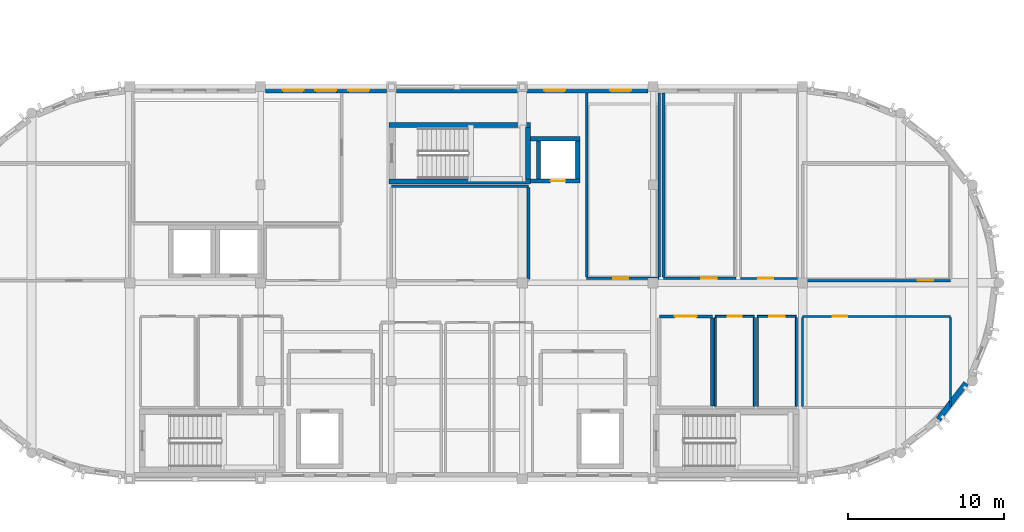
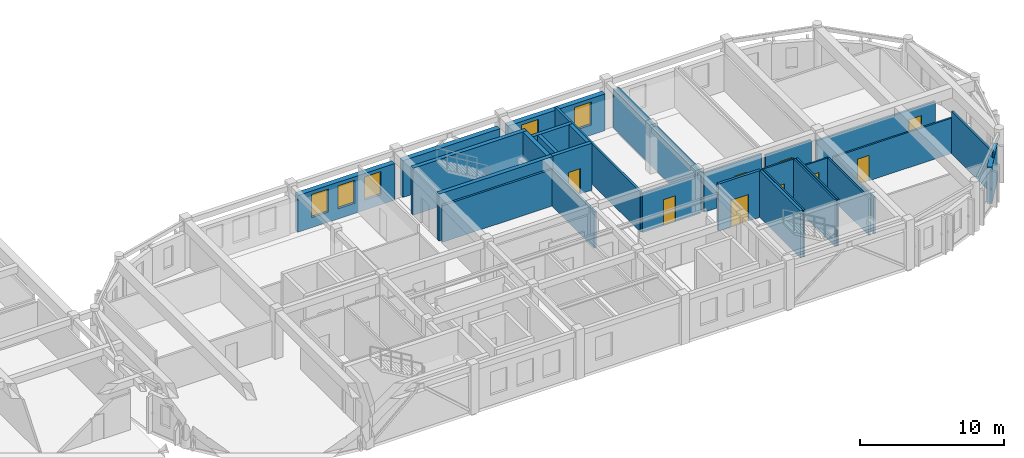
# One storey, part 19 of 29: 31 walls, 9 doors, 5 windows, 14 openings.
"""IFC4 building model written with IfcOpenShell, lengths in metres."""

from ifc_helpers import new_model, si_unit, direction, frame, frame_2d, origin, place, context, subcontext, project, spatial, rectangle, extrude, material, layer, layer_set, type_object, element, fill, save


model = new_model("IFC4")

# Units and contexts
model_context = context("Model", 3, precision=1e-05, world=origin(), true_north=direction((0.0, 1.0)))
body_context = subcontext(model_context, "Body", "Model", "MODEL_VIEW")
ifc_project = project(units=[si_unit("LENGTHUNIT", "METRE"), si_unit("AREAUNIT", "SQUARE_METRE"), si_unit("VOLUMEUNIT", "CUBIC_METRE"), si_unit("PLANEANGLEUNIT", "RADIAN"), si_unit("MASSUNIT", "GRAM", prefix="KILO")], contexts=[model_context])

# Site, building, storey
site_placement = place(None, origin())
site = spatial("IfcSite", under=ifc_project, at=site_placement, CompositionType="ELEMENT")
building_placement = place(site_placement, origin())
building = spatial("IfcBuilding", under=site, at=building_placement, Name="Tarnavel Promenade Courthouse", CompositionType="ELEMENT")
storey_placement = place(building_placement, frame((0.0, 0.0, 22.800048828125)))
storey = spatial("IfcBuildingStorey", under=building, at=storey_placement, Name="L06", CompositionType="ELEMENT", Elevation=22.800048828125)

# Walls
ifc_material_1 = material(Name="Acoustic Insulated Gypsum Stud Partition", Category="gypsum")
ifc_layer_1 = layer(ifc_material_1, 0.1650390625)
ifc_layer_set_1 = layer_set([ifc_layer_1], Name="Acoustic Insulated Gypsum Stud Partition")
wall_type_1 = type_object("IfcWallType", Name="Acoustic Insulated Gypsum Stud Partition WL-CHM-165 (165 mm)", PredefinedType="PARTITIONING", material=ifc_layer_set_1)
wall_1_placement = place(storey_placement, frame((75.60009765625, 98.0, 0.0), z_axis=(0.0, 0.0, 1.0), x_axis=(1.0, 0.0, 0.0)))
element("IfcWall", 1, at=wall_1_placement, inside=storey, type_object=wall_type_1, Name="L06 L06 Judicial Panel Deliberation Salon Partition 0808", PredefinedType="PARTITIONING", context=body_context, shape_type="SweptSolid", body=[
    extrude(rectangle(XDim=8.7998046875, YDim=0.1650390625, at=frame_2d((4.39990234375, 0.0))), origin(), (0.0, 0.0, 1.0), 3.099853515625),
])
wall_2_placement = place(storey_placement, frame((84.39990234375, 97.907470703125, 0.0), z_axis=(0.0, 0.0, 1.0), x_axis=(0.0, -1.0, 0.0)))
element("IfcWall", 2, at=wall_2_placement, inside=storey, type_object=wall_type_1, Name="L06 L06 Judicial Panel Deliberation Salon Partition 0811", PredefinedType="PARTITIONING", context=body_context, shape_type="SweptSolid", body=[
    extrude(rectangle(XDim=5.864990234375, YDim=0.1650390625, at=frame_2d((2.9326171875, 0.0))), origin(), (0.0, 0.0, 1.0), 3.099853515625),
])

# Wall, opening, door
wall_3_placement = place(storey_placement, frame((92.7890625, 92.090087890625, 0.0), z_axis=(0.0, 0.0, 1.0), x_axis=(-1.0, 0.0, 0.0)))
wall_3 = element("IfcWall", 3, at=wall_3_placement, inside=storey, type_object=wall_type_1, Name="L06 Judges' Chambers L06 Suite B Partition 0812", PredefinedType="PARTITIONING", context=body_context, shape_type="SweptSolid", body=[
    extrude(rectangle(XDim=4.649169921875, YDim=0.1650390625, at=frame_2d((2.32470703125, 0.0))), origin(), (0.0, 0.0, 1.0), 3.300048828125),
])
opening_1_placement = place(wall_3_placement, frame((1.98291015625, 0.0, 0.0)))
opening_1 = element("IfcOpeningElement", 4, at=opening_1_placement, cuts=wall_3, Name="Opening ID-04", PredefinedType="OPENING", context=body_context, shape_type="SweptSolid", body=[
    extrude(rectangle(XDim=0.97998046875, YDim=2.199951171875, at=frame_2d((0.489990234375, 1.10009765625))), frame((0.0, 0.092529296875, 0.0), z_axis=(0.0, -1.0, 0.0), x_axis=(1.0, 0.0, 0.0)), (0.0, 0.0, 1.0), 0.18505859375),
])
ifc_material_2 = material(Name="Solid Oak Judges Chambers Door")
door_type_1 = type_object("IfcDoorType", Name="Solid Oak Judges Chambers Door (DR-CHM-0980x2200)", OperationType="NOTDEFINED", PredefinedType="DOOR", material=ifc_material_2)
door_1_placement = place(opening_1_placement, origin())
door_1 = element("IfcDoor", 5, at=door_1_placement, inside=storey, type_object=door_type_1, Name="L06 Judges' Chambers L06 Suite B Door 0232", OperationType="SINGLE_SWING_LEFT", OverallHeight=2.199951171875, OverallWidth=0.97998046875, PredefinedType="DOOR", context=body_context, shape_type="SweptSolid", body=[
    extrude(rectangle(XDim=0.97998046875, YDim=2.199951171875, at=frame_2d((0.489990234375, 1.10009765625))), frame((0.0, 0.02490234375, 0.0), z_axis=(0.0, -1.0, 0.0), x_axis=(1.0, 0.0, 0.0)), (0.0, 0.0, 1.0), 0.050048828125),
])
fill(opening_1, door_1)

# Walls
wall_4_placement = place(storey_placement, frame((88.139892578125, 92.1826171875, 0.0), z_axis=(0.0, 0.0, 1.0), x_axis=(0.0, 1.0, 0.0)))
element("IfcWall", 6, at=wall_4_placement, inside=storey, type_object=wall_type_1, Name="L06 Judges' Chambers L06 Suite B Partition 0813", PredefinedType="PARTITIONING", context=body_context, shape_type="SweptSolid", body=[
    extrude(rectangle(XDim=11.79833984375, YDim=0.1650390625, at=frame_2d((5.899169921875, 0.0))), origin(), (0.0, 0.0, 1.0), 3.39990234375),
])
wall_5_placement = place(storey_placement, frame((92.7890625, 103.98095703125, 0.0), z_axis=(0.0, 0.0, 1.0), x_axis=(0.0, -1.0, 0.0)))
element("IfcWall", 7, at=wall_5_placement, inside=storey, type_object=wall_type_1, Name="L06 Judges' Chambers L06 Suite B Partition 0814", PredefinedType="PARTITIONING", context=body_context, shape_type="SweptSolid", body=[
    extrude(rectangle(XDim=11.79833984375, YDim=0.1650390625, at=frame_2d((5.899169921875, 0.0))), origin(), (0.0, 0.0, 1.0), 3.300048828125),
])

# Wall, opening, door
wall_6_placement = place(storey_placement, frame((97.718017578125, 92.090087890625, 0.0), z_axis=(0.0, 0.0, 1.0), x_axis=(-1.0, 0.0, 0.0)))
wall_6 = element("IfcWall", 8, at=wall_6_placement, inside=storey, type_object=wall_type_1, Name="L06 Judges' Chambers L06 Suite C Partition 0815", PredefinedType="PARTITIONING", context=body_context, shape_type="SweptSolid", body=[
    extrude(rectangle(XDim=4.64892578125, YDim=0.1650390625, at=frame_2d((2.324462890625, 0.0))), origin(), (0.0, 0.0, 1.0), 3.300048828125),
])
opening_2_placement = place(wall_6_placement, frame((1.24072265625, 0.0, 0.0)))
opening_2 = element("IfcOpeningElement", 9, at=opening_2_placement, cuts=wall_6, Name="Opening ID-04", PredefinedType="OPENING", context=body_context, shape_type="SweptSolid", body=[
    extrude(rectangle(XDim=0.97998046875, YDim=2.199951171875, at=frame_2d((0.489990234375, 1.10009765625))), frame((0.0, 0.092529296875, 0.0), z_axis=(0.0, -1.0, 0.0), x_axis=(1.0, 0.0, 0.0)), (0.0, 0.0, 1.0), 0.18505859375),
])
door_2_placement = place(opening_2_placement, origin())
door_2 = element("IfcDoor", 10, at=door_2_placement, inside=storey, type_object=door_type_1, Name="L06 Judges' Chambers L06 Suite C Door 0233", OperationType="SINGLE_SWING_RIGHT", OverallHeight=2.199951171875, OverallWidth=0.97998046875, PredefinedType="DOOR", context=body_context, shape_type="SweptSolid", body=[
    extrude(rectangle(XDim=0.97998046875, YDim=2.199951171875, at=frame_2d((0.489990234375, 1.10009765625))), frame((0.0, 0.02490234375, 0.0), z_axis=(0.0, -1.0, 0.0), x_axis=(1.0, 0.0, 0.0)), (0.0, 0.0, 1.0), 0.050048828125),
])
fill(opening_2, door_2)

# Wall
wall_7_placement = place(storey_placement, frame((93.069091796875, 92.1826171875, 0.0), z_axis=(0.0, 0.0, 1.0), x_axis=(0.0, 1.0, 0.0)))
element("IfcWall", 11, at=wall_7_placement, inside=storey, type_object=wall_type_1, Name="L06 Judges' Chambers L06 Suite C Partition 0816", PredefinedType="PARTITIONING", context=body_context, shape_type="SweptSolid", body=[
    extrude(rectangle(XDim=11.79833984375, YDim=0.1650390625, at=frame_2d((5.899169921875, 0.0))), origin(), (0.0, 0.0, 1.0), 3.300048828125),
])

# Wall, opening, door
wall_8_placement = place(storey_placement, frame((111.5, 91.949951171875, 0.0), z_axis=(0.0, 0.0, 1.0), x_axis=(-1.0, 0.0, 0.0)))
wall_8 = element("IfcWall", 12, at=wall_8_placement, inside=storey, type_object=wall_type_1, Name="L06 L06 East Drum Rotunda Chambers North Partition 0835", PredefinedType="PARTITIONING", context=body_context, shape_type="SweptSolid", body=[
    extrude(rectangle(XDim=9.5, YDim=0.1650390625, at=frame_2d((4.75, 0.0))), origin(), (0.0, 0.0, 1.0), 3.0),
])
opening_3_placement = place(wall_8_placement, frame((1.132080078125, 0.0, 0.0)))
opening_3 = element("IfcOpeningElement", 13, at=opening_3_placement, cuts=wall_8, Name="Opening ID-04", PredefinedType="OPENING", context=body_context, shape_type="SweptSolid", body=[
    extrude(rectangle(XDim=0.97998046875, YDim=2.199951171875, at=frame_2d((0.489990234375, 1.10009765625))), frame((0.0, 0.092529296875, 0.0), z_axis=(0.0, -1.0, 0.0), x_axis=(1.0, 0.0, 0.0)), (0.0, 0.0, 1.0), 0.18505859375),
])
door_3_placement = place(opening_3_placement, origin())
door_3 = element("IfcDoor", 14, at=door_3_placement, inside=storey, type_object=door_type_1, Name="L06 L06 East Drum Rotunda Chambers North Door 0239", OperationType="SINGLE_SWING_RIGHT", OverallHeight=2.199951171875, OverallWidth=0.97998046875, PredefinedType="DOOR", context=body_context, shape_type="SweptSolid", body=[
    extrude(rectangle(XDim=0.97998046875, YDim=2.199951171875, at=frame_2d((0.489990234375, 1.10009765625))), frame((0.0, 0.02490234375, 0.0), z_axis=(0.0, -1.0, 0.0), x_axis=(1.0, 0.0, 0.0)), (0.0, 0.0, 1.0), 0.050048828125),
])
fill(opening_3, door_3)

# Wall
ifc_material_3 = material(Name="Concrete C40/50", Category="concrete")
ifc_layer_2 = layer(ifc_material_3, 0.280029296875)
ifc_layer_set_2 = layer_set([ifc_layer_2], Name="Concrete C40/50")
wall_type_2 = type_object("IfcWallType", Name="Concrete C40/50 WL-SHR-280 (280 mm)", PredefinedType="SHEAR", material=ifc_layer_set_2)
wall_9_placement = place(storey_placement, frame((84.5400390625, 101.06005859375, 0.0), z_axis=(0.0, 0.0, 1.0), x_axis=(1.0, 0.0, 0.0)))
element("IfcWall", 15, at=wall_9_placement, inside=storey, type_object=wall_type_2, Name="L06 L-JUD1 Lift Shaft North Wall", PredefinedType="SHEAR", context=body_context, shape_type="SweptSolid", body=[
    extrude(rectangle(XDim=3.159912109375, YDim=0.280029296875, at=frame_2d((1.580078125, 0.0))), origin(), (0.0, 0.0, 1.0), 3.969970703125),
])

# Wall, opening, door
wall_10_placement = place(storey_placement, frame((87.699951171875, 98.340087890625, 0.0), z_axis=(0.0, 0.0, 1.0), x_axis=(-1.0, 0.0, 0.0)))
wall_10 = element("IfcWall", 16, at=wall_10_placement, inside=storey, type_object=wall_type_2, Name="L06 L-JUD1 Lift Shaft South Wall", PredefinedType="SHEAR", context=body_context, shape_type="SweptSolid", body=[
    extrude(rectangle(XDim=3.159912109375, YDim=0.280029296875, at=frame_2d((1.580078125, 0.0))), origin(), (0.0, 0.0, 1.0), 3.969970703125),
])
opening_4_placement = place(wall_10_placement, frame((0.925048828125, 0.0, 0.0)))
opening_4 = element("IfcOpeningElement", 17, at=opening_4_placement, cuts=wall_10, Name="Opening LD-03", PredefinedType="OPENING", context=body_context, shape_type="SweptSolid", body=[
    extrude(rectangle(XDim=0.949951171875, YDim=2.14990234375, at=frame_2d((0.47509765625, 1.074951171875))), frame((0.0, 0.14990234375, 0.0), z_axis=(0.0, -1.0, 0.0), x_axis=(1.0, 0.0, 0.0)), (0.0, 0.0, 1.0), 0.300048828125),
])
ifc_material_4 = material(Name="Stainless Steel Judicial Lift Landing Sliding Door", Category="steel")
door_type_2 = type_object("IfcDoorType", Name="Stainless Steel Judicial Lift Landing Sliding Door (LD-JUD-0950x2150)", OperationType="NOTDEFINED", PredefinedType="DOOR", material=ifc_material_4)
door_4_placement = place(opening_4_placement, origin())
door_4 = element("IfcDoor", 18, at=door_4_placement, inside=storey, type_object=door_type_2, Name="L06 L-JUD1 Lift Sliding Landing Door", OperationType="DOUBLE_DOOR_SLIDING", OverallHeight=2.14990234375, OverallWidth=0.949951171875, PredefinedType="DOOR", context=body_context, shape_type="SweptSolid", body=[
    extrude(rectangle(XDim=0.949951171875, YDim=2.14990234375, at=frame_2d((0.47509765625, 1.074951171875))), frame((0.0, 0.02490234375, 0.0), z_axis=(0.0, -1.0, 0.0), x_axis=(1.0, 0.0, 0.0)), (0.0, 0.0, 1.0), 0.050048828125),
])
fill(opening_4, door_4)

# Walls
for number, where, z_axis, x_axis, name in (
    (19, (85.0400390625, 98.47998046875, 0.0), (0.0, 0.0, 1.0), (0.0, 1.0, 0.0), "L06 L-JUD1 Lift Shaft West Wall"),
    (20, (87.56005859375, 100.919921875, 0.0), (0.0, 0.0, 1.0), (0.0, -1.0, 0.0), "L06 L-JUD1 Lift Shaft East Wall"),
):
    element("IfcWall", number, at=place(storey_placement, frame(where, z_axis=z_axis, x_axis=x_axis)), inside=storey, type_object=wall_type_2, Name=name, PredefinedType="SHEAR", context=body_context, shape_type="SweptSolid", body=[
        extrude(rectangle(XDim=2.43994140625, YDim=0.280029296875, at=frame_2d((1.219970703125, 0.0))), origin(), (0.0, 0.0, 1.0), 3.969970703125),
    ])
ifc_layer_3 = layer(ifc_material_3, 0.320068359375)
ifc_layer_set_3 = layer_set([ifc_layer_3], Name="Concrete C40/50")
wall_type_3 = type_object("IfcWallType", Name="Concrete C40/50 WL-SHR-320 (320 mm)", PredefinedType="SHEAR", material=ifc_layer_set_3)
for number, where, z_axis, x_axis, name in (
    (21, (75.4599609375, 101.919921875, 0.0), (0.0, 0.0, 1.0), (1.0, 0.0, 0.0), "L06 ST-03 Shear Core North Wall"),
    (22, (84.5400390625, 98.320068359375, 0.0), (0.0, 0.0, 1.0), (-1.0, 0.0, 0.0), "L06 ST-03 Shear Core South Wall"),
):
    element("IfcWall", number, at=place(storey_placement, frame(where, z_axis=z_axis, x_axis=x_axis)), inside=storey, type_object=wall_type_3, Name=name, PredefinedType="SHEAR", context=body_context, shape_type="SweptSolid", body=[
        extrude(rectangle(XDim=9.080078125, YDim=0.320068359375, at=frame_2d((4.5400390625, 0.0))), origin(), (0.0, 0.0, 1.0), 3.969970703125),
    ])
wall_11_placement = place(storey_placement, frame((84.3798828125, 101.760009765625, 0.0), z_axis=(0.0, 0.0, 1.0), x_axis=(0.0, -1.0, 0.0)))
element("IfcWall", 23, at=wall_11_placement, inside=storey, type_object=wall_type_3, Name="L06 ST-03 Shear Core East Wall", PredefinedType="SHEAR", context=body_context, shape_type="SweptSolid", body=[
    extrude(rectangle(XDim=3.280029296875, YDim=0.320068359375, at=frame_2d((1.64013671875, 0.0))), origin(), (0.0, 0.0, 1.0), 3.969970703125),
])

# Wall, opening, door
ifc_material_5 = material(Name="Concrete Masonry Fire Compartment Wall", Category="masonry")
ifc_layer_4 = layer(ifc_material_5, 0.205078125)
ifc_layer_set_4 = layer_set([ifc_layer_4], Name="Concrete Masonry Fire Compartment Wall")
wall_type_4 = type_object("IfcWallType", Name="Concrete Masonry Fire Compartment Wall WL-CMP-205 (205 mm)", PredefinedType="STANDARD", material=ifc_layer_set_4)
wall_12_placement = place(storey_placement, frame((92.800048828125, 89.64990234375, 0.0), z_axis=(0.0, 0.0, 1.0), x_axis=(1.0, 0.0, 0.0)))
wall_12 = element("IfcWall", 24, at=wall_12_placement, inside=storey, type_object=wall_type_4, Name="L06 L06 Court Transcript Records Room Partition 0777", PredefinedType="STANDARD", context=body_context, shape_type="SweptSolid", body=[
    extrude(rectangle(XDim=3.39990234375, YDim=0.205078125, at=frame_2d((1.699951171875, 0.0))), origin(), (0.0, 0.0, 1.0), 3.954833984375),
])
opening_5_placement = place(wall_12_placement, frame((1.0, 0.0, 0.0)))
opening_5 = element("IfcOpeningElement", 25, at=opening_5_placement, cuts=wall_12, Name="Opening FD-04", PredefinedType="OPENING", context=body_context, shape_type="SweptSolid", body=[
    extrude(rectangle(XDim=1.39990234375, YDim=2.25, at=frame_2d((0.699951171875, 1.125))), frame((0.0, 0.112548828125, 0.0), z_axis=(0.0, -1.0, 0.0), x_axis=(1.0, 0.0, 0.0)), (0.0, 0.0, 1.0), 0.22509765625),
])
ifc_material_6 = material(Name="Heavy Steel Plant Room Fire Door", Category="steel")
door_type_3 = type_object("IfcDoorType", Name="Heavy Steel Plant Room Fire Door (DR-PLT-1400x2250)", OperationType="NOTDEFINED", PredefinedType="DOOR", material=ifc_material_6)
door_5_placement = place(opening_5_placement, origin())
door_5 = element("IfcDoor", 26, at=door_5_placement, inside=storey, type_object=door_type_3, Name="L06 L06 Court Transcript Records Room Door 0222", OperationType="SINGLE_SWING_LEFT", OverallHeight=2.25, OverallWidth=1.39990234375, PredefinedType="DOOR", context=body_context, shape_type="SweptSolid", body=[
    extrude(rectangle(XDim=1.39990234375, YDim=2.25, at=frame_2d((0.699951171875, 1.125))), frame((0.0, 0.02490234375, 0.0), z_axis=(0.0, -1.0, 0.0), x_axis=(1.0, 0.0, 0.0)), (0.0, 0.0, 1.0), 0.050048828125),
])
fill(opening_5, door_5)

# Wall
wall_13_placement = place(storey_placement, frame((96.199951171875, 89.53759765625, 0.0), z_axis=(0.0, 0.0, 1.0), x_axis=(0.0, -1.0, 0.0)))
element("IfcWall", 27, at=wall_13_placement, inside=storey, type_object=wall_type_4, Name="L06 L06 Court Transcript Records Room Partition 0780", PredefinedType="STANDARD", context=body_context, shape_type="SweptSolid", body=[
    extrude(rectangle(XDim=5.625, YDim=0.205078125, at=frame_2d((2.8125, 0.0))), origin(), (0.0, 0.0, 1.0), 3.954833984375),
])

# Wall, openings, windows
ifc_material_7 = material(Name="Cream Brick Insulated Cavity Facade Assembly", Category="masonry")
ifc_layer_5 = layer(ifc_material_7, 0.409912109375)
ifc_layer_set_5 = layer_set([ifc_layer_5], Name="Cream Brick Insulated Cavity Facade Assembly")
wall_type_5 = type_object("IfcWallType", Name="Cream Brick Insulated Cavity Facade Assembly WL-EXT-410 (410 mm)", PredefinedType="STANDARD", material=ifc_layer_set_5)
wall_14_placement = place(storey_placement, frame((67.51708984375, 104.179931640625, 0.0), z_axis=(0.0, 0.0, 1.0), x_axis=(1.0, 0.0, 0.0)))
wall_14 = element("IfcWall", 28, at=wall_14_placement, inside=storey, type_object=wall_type_5, Name="L06 Bar North Limestone Facade 0139", PredefinedType="STANDARD", context=body_context, shape_type="SweptSolid", body=[
    extrude(rectangle(XDim=7.765869140625, YDim=0.409912109375, at=frame_2d((3.8828125, 0.0))), origin(), (0.0, 0.0, 1.0), 3.099853515625),
])
opening_6_placement = place(wall_14_placement, frame((1.0947265625, 0.0, 0.85009765625)))
opening_6 = element("IfcOpeningElement", 29, at=opening_6_placement, cuts=wall_14, Name="Opening W-04", PredefinedType="OPENING", context=body_context, shape_type="SweptSolid", body=[
    extrude(rectangle(XDim=1.35009765625, YDim=1.949951171875, at=frame_2d((0.675048828125, 0.97509765625))), frame((0.0, 0.21484375, 0.0), z_axis=(0.0, -1.0, 0.0), x_axis=(1.0, 0.0, 0.0)), (0.0, 0.0, 1.0), 0.429931640625),
])
opening_7_placement = place(wall_14_placement, frame((3.2080078125, 0.0, 0.85009765625)))
opening_7 = element("IfcOpeningElement", 30, at=opening_7_placement, cuts=wall_14, Name="Opening W-04", PredefinedType="OPENING", context=body_context, shape_type="SweptSolid", body=[
    extrude(rectangle(XDim=1.35009765625, YDim=1.949951171875, at=frame_2d((0.675048828125, 0.97509765625))), frame((0.0, 0.21484375, 0.0), z_axis=(0.0, -1.0, 0.0), x_axis=(1.0, 0.0, 0.0)), (0.0, 0.0, 1.0), 0.429931640625),
])
opening_8_placement = place(wall_14_placement, frame((5.3212890625, 0.0, 0.85009765625)))
opening_8 = element("IfcOpeningElement", 31, at=opening_8_placement, cuts=wall_14, Name="Opening W-04", PredefinedType="OPENING", context=body_context, shape_type="SweptSolid", body=[
    extrude(rectangle(XDim=1.35009765625, YDim=1.949951171875, at=frame_2d((0.675048828125, 0.97509765625))), frame((0.0, 0.21484375, 0.0), z_axis=(0.0, -1.0, 0.0), x_axis=(1.0, 0.0, 0.0)), (0.0, 0.0, 1.0), 0.429931640625),
])
ifc_material_8 = material(Name="Triple Low-E Glazed Bronze-Clad Window Assembly")
window_type = type_object("IfcWindowType", Name="Triple-Glazed Bronze-Clad Timber-Aluminium WIN-CHM-1350x1950", PartitioningType="SINGLE_PANEL", PredefinedType="WINDOW", material=ifc_material_8)
window_1_placement = place(opening_6_placement, origin())
window_1 = element("IfcWindow", 32, at=window_1_placement, inside=storey, type_object=window_type, Name="L06 Exterior Window 0102", OverallHeight=1.949951171875, OverallWidth=1.35009765625, PartitioningType="SINGLE_PANEL", PredefinedType="WINDOW", context=body_context, shape_type="SweptSolid", body=[
    extrude(rectangle(XDim=1.35009765625, YDim=1.949951171875, at=frame_2d((0.675048828125, 0.97509765625))), frame((0.0, 0.030029296875, 0.0), z_axis=(0.0, -1.0, 0.0), x_axis=(1.0, 0.0, 0.0)), (0.0, 0.0, 1.0), 0.06005859375),
])
fill(opening_6, window_1)
window_2_placement = place(opening_7_placement, origin())
window_2 = element("IfcWindow", 33, at=window_2_placement, inside=storey, type_object=window_type, Name="L06 Exterior Window 0103", OverallHeight=1.949951171875, OverallWidth=1.35009765625, PartitioningType="SINGLE_PANEL", PredefinedType="WINDOW", context=body_context, shape_type="SweptSolid", body=[
    extrude(rectangle(XDim=1.35009765625, YDim=1.949951171875, at=frame_2d((0.675048828125, 0.97509765625))), frame((0.0, 0.030029296875, 0.0), z_axis=(0.0, -1.0, 0.0), x_axis=(1.0, 0.0, 0.0)), (0.0, 0.0, 1.0), 0.06005859375),
])
fill(opening_7, window_2)
window_3_placement = place(opening_8_placement, origin())
window_3 = element("IfcWindow", 34, at=window_3_placement, inside=storey, type_object=window_type, Name="L06 Exterior Window 0104", OverallHeight=1.949951171875, OverallWidth=1.35009765625, PartitioningType="SINGLE_PANEL", PredefinedType="WINDOW", context=body_context, shape_type="SweptSolid", body=[
    extrude(rectangle(XDim=1.35009765625, YDim=1.949951171875, at=frame_2d((0.675048828125, 0.97509765625))), frame((0.0, 0.030029296875, 0.0), z_axis=(0.0, -1.0, 0.0), x_axis=(1.0, 0.0, 0.0)), (0.0, 0.0, 1.0), 0.06005859375),
])
fill(opening_8, window_3)

# Wall
wall_15_placement = place(storey_placement, frame((75.9169921875, 104.179931640625, 0.0), z_axis=(0.0, 0.0, 1.0), x_axis=(1.0, 0.0, 0.0)))
element("IfcWall", 35, at=wall_15_placement, inside=storey, type_object=wall_type_5, Name="L06 Bar North Limestone Facade 0140", PredefinedType="STANDARD", context=body_context, shape_type="SweptSolid", body=[
    extrude(rectangle(XDim=7.76611328125, YDim=0.409912109375, at=frame_2d((3.883056640625, 0.0))), origin(), (0.0, 0.0, 1.0), 3.099853515625),
])

# Wall, openings, windows
wall_16_placement = place(storey_placement, frame((84.31689453125, 104.179931640625, 0.0), z_axis=(0.0, 0.0, 1.0), x_axis=(1.0, 0.0, 0.0)))
wall_16 = element("IfcWall", 36, at=wall_16_placement, inside=storey, type_object=wall_type_5, Name="L06 Bar North Limestone Facade 0141", PredefinedType="STANDARD", context=body_context, shape_type="SweptSolid", body=[
    extrude(rectangle(XDim=7.76611328125, YDim=0.409912109375, at=frame_2d((3.883056640625, 0.0))), origin(), (0.0, 0.0, 1.0), 3.099853515625),
])
opening_9_placement = place(wall_16_placement, frame((1.0947265625, 0.0, 0.85009765625)))
opening_9 = element("IfcOpeningElement", 37, at=opening_9_placement, cuts=wall_16, Name="Opening W-04", PredefinedType="OPENING", context=body_context, shape_type="SweptSolid", body=[
    extrude(rectangle(XDim=1.35009765625, YDim=1.949951171875, at=frame_2d((0.675048828125, 0.97509765625))), frame((0.0, 0.21484375, 0.0), z_axis=(0.0, -1.0, 0.0), x_axis=(1.0, 0.0, 0.0)), (0.0, 0.0, 1.0), 0.429931640625),
])
opening_10_placement = place(wall_16_placement, frame((5.3212890625, 0.0, 0.85009765625)))
opening_10 = element("IfcOpeningElement", 38, at=opening_10_placement, cuts=wall_16, Name="Opening W-04", PredefinedType="OPENING", context=body_context, shape_type="SweptSolid", body=[
    extrude(rectangle(XDim=1.35009765625, YDim=1.949951171875, at=frame_2d((0.675048828125, 0.97509765625))), frame((0.0, 0.21484375, 0.0), z_axis=(0.0, -1.0, 0.0), x_axis=(1.0, 0.0, 0.0)), (0.0, 0.0, 1.0), 0.429931640625),
])
window_4_placement = place(opening_9_placement, origin())
window_4 = element("IfcWindow", 39, at=window_4_placement, inside=storey, type_object=window_type, Name="L06 Exterior Window 0105", OverallHeight=1.949951171875, OverallWidth=1.35009765625, PartitioningType="SINGLE_PANEL", PredefinedType="WINDOW", context=body_context, shape_type="SweptSolid", body=[
    extrude(rectangle(XDim=1.35009765625, YDim=1.949951171875, at=frame_2d((0.675048828125, 0.97509765625))), frame((0.0, 0.030029296875, 0.0), z_axis=(0.0, -1.0, 0.0), x_axis=(1.0, 0.0, 0.0)), (0.0, 0.0, 1.0), 0.06005859375),
])
fill(opening_9, window_4)
window_5_placement = place(opening_10_placement, origin())
window_5 = element("IfcWindow", 40, at=window_5_placement, inside=storey, type_object=window_type, Name="L06 Exterior Window 0106", OverallHeight=1.949951171875, OverallWidth=1.35009765625, PartitioningType="SINGLE_PANEL", PredefinedType="WINDOW", context=body_context, shape_type="SweptSolid", body=[
    extrude(rectangle(XDim=1.35009765625, YDim=1.949951171875, at=frame_2d((0.675048828125, 0.97509765625))), frame((0.0, 0.030029296875, 0.0), z_axis=(0.0, -1.0, 0.0), x_axis=(1.0, 0.0, 0.0)), (0.0, 0.0, 1.0), 0.06005859375),
])
fill(opening_10, window_5)

# Wall, opening, door
ifc_material_9 = material(Name="Metal-Stud Acoustic Gypsum Partition", Category="gypsum")
ifc_layer_6 = layer(ifc_material_9, 0.135009765625)
ifc_layer_set_6 = layer_set([ifc_layer_6], Name="Metal-Stud Acoustic Gypsum Partition")
wall_type_6 = type_object("IfcWallType", Name="Metal-Stud Acoustic Gypsum Partition WL-OFF-135 (135 mm)", PredefinedType="PARTITIONING", material=ifc_layer_set_6)
wall_17_placement = place(storey_placement, frame((101.659912109375, 92.090087890625, 0.0), z_axis=(0.0, 0.0, 1.0), x_axis=(-1.0, 0.0, 0.0)))
wall_17 = element("IfcWall", 41, at=wall_17_placement, inside=storey, type_object=wall_type_6, Name="L06 Legal Assistants' Workroom L06 Partition 0818", PredefinedType="PARTITIONING", context=body_context, shape_type="SweptSolid", body=[
    extrude(rectangle(XDim=3.661865234375, YDim=0.135009765625, at=frame_2d((1.8310546875, 0.0))), origin(), (0.0, 0.0, 1.0), 3.099853515625),
])
opening_11_placement = place(wall_17_placement, frame((1.55712890625, 0.0, 0.0)))
opening_11 = element("IfcOpeningElement", 42, at=opening_11_placement, cuts=wall_17, Name="Opening ID-06", PredefinedType="OPENING", context=body_context, shape_type="SweptSolid", body=[
    extrude(rectangle(XDim=0.949951171875, YDim=2.14990234375, at=frame_2d((0.47509765625, 1.074951171875))), frame((0.0, 0.077392578125, 0.0), z_axis=(0.0, -1.0, 0.0), x_axis=(1.0, 0.0, 0.0)), (0.0, 0.0, 1.0), 0.155029296875),
])
ifc_material_10 = material(Name="Acoustic Timber Veneer Office Door", Category="wood")
door_type_4 = type_object("IfcDoorType", Name="Acoustic Timber Veneer Office Door (DR-OFF-0950x2150)", OperationType="NOTDEFINED", PredefinedType="DOOR", material=ifc_material_10)
door_6_placement = place(opening_11_placement, origin())
door_6 = element("IfcDoor", 43, at=door_6_placement, inside=storey, type_object=door_type_4, Name="L06 Legal Assistants' Workroom L06 Door 0234", OperationType="SINGLE_SWING_LEFT", OverallHeight=2.14990234375, OverallWidth=0.949951171875, PredefinedType="DOOR", context=body_context, shape_type="SweptSolid", body=[
    extrude(rectangle(XDim=0.949951171875, YDim=2.14990234375, at=frame_2d((0.47509765625, 1.074951171875))), frame((0.0, 0.02490234375, 0.0), z_axis=(0.0, -1.0, 0.0), x_axis=(1.0, 0.0, 0.0)), (0.0, 0.0, 1.0), 0.050048828125),
])
fill(opening_11, door_6)

wall_18_placement = place(storey_placement, frame((102.0, 89.64990234375, 0.0), z_axis=(0.0, 0.0, 1.0), x_axis=(1.0, 0.0, 0.0)))
wall_18 = element("IfcWall", 44, at=wall_18_placement, inside=storey, type_object=wall_type_6, Name="L06 L06 East Drum Collegium Reference Room Partition 0838", PredefinedType="PARTITIONING", context=body_context, shape_type="SweptSolid", body=[
    extrude(rectangle(XDim=9.5, YDim=0.135009765625, at=frame_2d((4.75, 0.0))), origin(), (0.0, 0.0, 1.0), 3.0),
])
opening_12_placement = place(wall_18_placement, frame((1.919921875, 0.0, 0.0)))
opening_12 = element("IfcOpeningElement", 45, at=opening_12_placement, cuts=wall_18, Name="Opening ID-06", PredefinedType="OPENING", context=body_context, shape_type="SweptSolid", body=[
    extrude(rectangle(XDim=0.949951171875, YDim=2.14990234375, at=frame_2d((0.47509765625, 1.074951171875))), frame((0.0, 0.077392578125, 0.0), z_axis=(0.0, -1.0, 0.0), x_axis=(1.0, 0.0, 0.0)), (0.0, 0.0, 1.0), 0.155029296875),
])
door_7_placement = place(opening_12_placement, origin())
door_7 = element("IfcDoor", 46, at=door_7_placement, inside=storey, type_object=door_type_4, Name="L06 L06 East Drum Collegium Reference Room Door 0240", OperationType="SINGLE_SWING_LEFT", OverallHeight=2.14990234375, OverallWidth=0.949951171875, PredefinedType="DOOR", context=body_context, shape_type="SweptSolid", body=[
    extrude(rectangle(XDim=0.949951171875, YDim=2.14990234375, at=frame_2d((0.47509765625, 1.074951171875))), frame((0.0, 0.02490234375, 0.0), z_axis=(0.0, -1.0, 0.0), x_axis=(1.0, 0.0, 0.0)), (0.0, 0.0, 1.0), 0.050048828125),
])
fill(opening_12, door_7)

# Walls
wall_19_placement = place(storey_placement, frame((102.0, 83.87744140625, 0.0), z_axis=(0.0, 0.0, 1.0), x_axis=(0.0, 1.0, 0.0)))
element("IfcWall", 47, at=wall_19_placement, inside=storey, type_object=wall_type_6, Name="L06 L06 East Drum Collegium Reference Room Partition 0840", PredefinedType="PARTITIONING", context=body_context, shape_type="SweptSolid", body=[
    extrude(rectangle(XDim=5.695068359375, YDim=0.135009765625, at=frame_2d((2.84765625, 0.0))), origin(), (0.0, 0.0, 1.0), 3.099853515625),
])
wall_20_placement = place(storey_placement, frame((111.5, 89.572509765625, 0.0), z_axis=(0.0, 0.0, 1.0), x_axis=(0.0, -1.0, 0.0)))
element("IfcWall", 48, at=wall_20_placement, inside=storey, type_object=wall_type_6, Name="L06 L06 East Drum Collegium Reference Room Partition 0841", PredefinedType="PARTITIONING", context=body_context, shape_type="SweptSolid", body=[
    extrude(rectangle(XDim=5.695068359375, YDim=0.135009765625, at=frame_2d((2.84765625, 0.0))), origin(), (0.0, 0.0, 1.0), 3.599853515625),
])

# Wall, opening, door
ifc_material_11 = material(Name="Moisture-Resistant Tile-Backed Stud Partition", Category="gypsum")
ifc_layer_7 = layer(ifc_material_11, 0.125)
ifc_layer_set_7 = layer_set([ifc_layer_7], Name="Moisture-Resistant Tile-Backed Stud Partition")
wall_type_7 = type_object("IfcWallType", Name="Moisture-Resistant Tile-Backed Stud Partition WL-WET-125 (125 mm)", PredefinedType="PARTITIONING", material=ifc_layer_set_7)
wall_21_placement = place(storey_placement, frame((96.39990234375, 89.64990234375, 0.0), z_axis=(0.0, 0.0, 1.0), x_axis=(1.0, 0.0, 0.0)))
wall_21 = element("IfcWall", 49, at=wall_21_placement, inside=storey, type_object=wall_type_7, Name="L06 Staff WC Partition 0765", PredefinedType="PARTITIONING", context=body_context, shape_type="SweptSolid", body=[
    extrude(rectangle(XDim=2.5, YDim=0.125, at=frame_2d((1.25, 0.0))), origin(), (0.0, 0.0, 1.0), 3.954833984375),
])
opening_13_placement = place(wall_21_placement, frame((0.800048828125, 0.0, 0.0)))
opening_13 = element("IfcOpeningElement", 50, at=opening_13_placement, cuts=wall_21, Name="Opening ID-08", PredefinedType="OPENING", context=body_context, shape_type="SweptSolid", body=[
    extrude(rectangle(XDim=0.89990234375, YDim=2.10009765625, at=frame_2d((0.449951171875, 1.050048828125))), frame((0.0, 0.072509765625, 0.0), z_axis=(0.0, -1.0, 0.0), x_axis=(1.0, 0.0, 0.0)), (0.0, 0.0, 1.0), 0.14501953125),
])
ifc_material_12 = material(Name="Moisture-Resistant Laminate Restroom Door")
door_type_5 = type_object("IfcDoorType", Name="Moisture-Resistant Laminate Restroom Door (DR-WC-0900x2100)", OperationType="NOTDEFINED", PredefinedType="DOOR", material=ifc_material_12)
door_8_placement = place(opening_13_placement, origin())
door_8 = element("IfcDoor", 51, at=door_8_placement, inside=storey, type_object=door_type_5, Name="L06 Staff WC Door 0219", OperationType="SINGLE_SWING_RIGHT", OverallHeight=2.10009765625, OverallWidth=0.89990234375, PredefinedType="DOOR", context=body_context, shape_type="SweptSolid", body=[
    extrude(rectangle(XDim=0.89990234375, YDim=2.10009765625, at=frame_2d((0.449951171875, 1.050048828125))), frame((0.0, 0.02490234375, 0.0), z_axis=(0.0, -1.0, 0.0), x_axis=(1.0, 0.0, 0.0)), (0.0, 0.0, 1.0), 0.050048828125),
])
fill(opening_13, door_8)

# Walls
for number, where, z_axis, x_axis, name in (
    (52, (96.39990234375, 83.87255859375, 0.0), (0.0, 0.0, 1.0), (0.0, 1.0, 0.0), "L06 Staff WC Partition 0767"),
    (53, (98.89990234375, 89.577392578125, 0.0), (0.0, 0.0, 1.0), (0.0, -1.0, 0.0), "L06 Staff WC Partition 0768"),
):
    element("IfcWall", number, at=place(storey_placement, frame(where, z_axis=z_axis, x_axis=x_axis)), inside=storey, type_object=wall_type_7, Name=name, PredefinedType="PARTITIONING", context=body_context, shape_type="SweptSolid", body=[
        extrude(rectangle(XDim=5.704833984375, YDim=0.125, at=frame_2d((2.8525390625, 0.0))), origin(), (0.0, 0.0, 1.0), 3.954833984375),
    ])

# Wall, opening, door
wall_22_placement = place(storey_placement, frame((99.10009765625, 89.64990234375, 0.0), z_axis=(0.0, 0.0, 1.0), x_axis=(1.0, 0.0, 0.0)))
wall_22 = element("IfcWall", 54, at=wall_22_placement, inside=storey, type_object=wall_type_7, Name="L06 Accessible Staff WC Partition 0769", PredefinedType="PARTITIONING", context=body_context, shape_type="SweptSolid", body=[
    extrude(rectangle(XDim=2.5, YDim=0.125, at=frame_2d((1.25, 0.0))), origin(), (0.0, 0.0, 1.0), 3.099853515625),
])
opening_14_placement = place(wall_22_placement, frame((0.75, 0.0, 0.0)))
opening_14 = element("IfcOpeningElement", 55, at=opening_14_placement, cuts=wall_22, Name="Opening ID-09", PredefinedType="OPENING", context=body_context, shape_type="SweptSolid", body=[
    extrude(rectangle(XDim=1.0, YDim=2.10009765625, at=frame_2d((0.5, 1.050048828125))), frame((0.0, 0.072509765625, 0.0), z_axis=(0.0, -1.0, 0.0), x_axis=(1.0, 0.0, 0.0)), (0.0, 0.0, 1.0), 0.14501953125),
])
ifc_material_13 = material(Name="Wide Accessible Restroom Outward Door")
door_type_6 = type_object("IfcDoorType", Name="Wide Accessible Restroom Outward Door (DR-AWC-1000x2100)", OperationType="NOTDEFINED", PredefinedType="DOOR", material=ifc_material_13)
door_9_placement = place(opening_14_placement, origin())
door_9 = element("IfcDoor", 56, at=door_9_placement, inside=storey, type_object=door_type_6, Name="L06 Accessible Staff WC Door 0220", OperationType="SINGLE_SWING_LEFT", OverallHeight=2.10009765625, OverallWidth=1.0, PredefinedType="DOOR", context=body_context, shape_type="SweptSolid", body=[
    extrude(rectangle(XDim=1.0, YDim=2.10009765625, at=frame_2d((0.5, 1.050048828125))), frame((0.0, 0.02490234375, 0.0), z_axis=(0.0, -1.0, 0.0), x_axis=(1.0, 0.0, 0.0)), (0.0, 0.0, 1.0), 0.050048828125),
])
fill(opening_14, door_9)

# Walls
wall_23_placement = place(storey_placement, frame((99.10009765625, 83.87255859375, 0.0), z_axis=(0.0, 0.0, 1.0), x_axis=(0.0, 1.0, 0.0)))
element("IfcWall", 57, at=wall_23_placement, inside=storey, type_object=wall_type_7, Name="L06 Accessible Staff WC Partition 0771", PredefinedType="PARTITIONING", context=body_context, shape_type="SweptSolid", body=[
    extrude(rectangle(XDim=5.704833984375, YDim=0.125, at=frame_2d((2.8525390625, 0.0))), origin(), (0.0, 0.0, 1.0), 3.954833984375),
])
wall_24_placement = place(storey_placement, frame((101.60009765625, 89.577392578125, 0.0), z_axis=(0.0, 0.0, 1.0), x_axis=(0.0, -1.0, 0.0)))
element("IfcWall", 58, at=wall_24_placement, inside=storey, type_object=wall_type_7, Name="L06 Accessible Staff WC Partition 0772", PredefinedType="PARTITIONING", context=body_context, shape_type="SweptSolid", body=[
    extrude(rectangle(XDim=5.704833984375, YDim=0.125, at=frame_2d((2.8525390625, 0.0))), origin(), (0.0, 0.0, 1.0), 3.099853515625),
])
ifc_material_14 = material(Name="Patinated Copper-Bronze Insulated Drum Wall Assembly", Category="masonry")
ifc_layer_8 = layer(ifc_material_14, 0.364990234375)
ifc_layer_set_8 = layer_set([ifc_layer_8], Name="Patinated Copper-Bronze Insulated Drum Wall Assembly")
wall_type_8 = type_object("IfcWallType", Name="Patinated Copper-Bronze Insulated Drum Wall Assembly WL-DRUM-365 (365 mm)", PredefinedType="ELEMENTEDWALL", material=ifc_layer_set_8)
wall_25_placement = place(storey_placement, frame((110.711181640625, 83.04248046875, 0.0), z_axis=(0.0, 0.0, 1.0), x_axis=(0.60876624393, 0.793349645649, 0.0)))
element("IfcWall", 59, at=wall_25_placement, inside=storey, type_object=wall_type_8, Name="L06 E Copper Drum Chord Wall 04 0161", PredefinedType="ELEMENTEDWALL", context=body_context, shape_type="SweptSolid", body=[
    extrude(rectangle(XDim=2.92431640625, YDim=0.364990234375, at=frame_2d((1.462158203125, 0.0))), origin(), (0.0, 0.0, 1.0), 3.099853515625),
])

save(model, "model.ifc")
